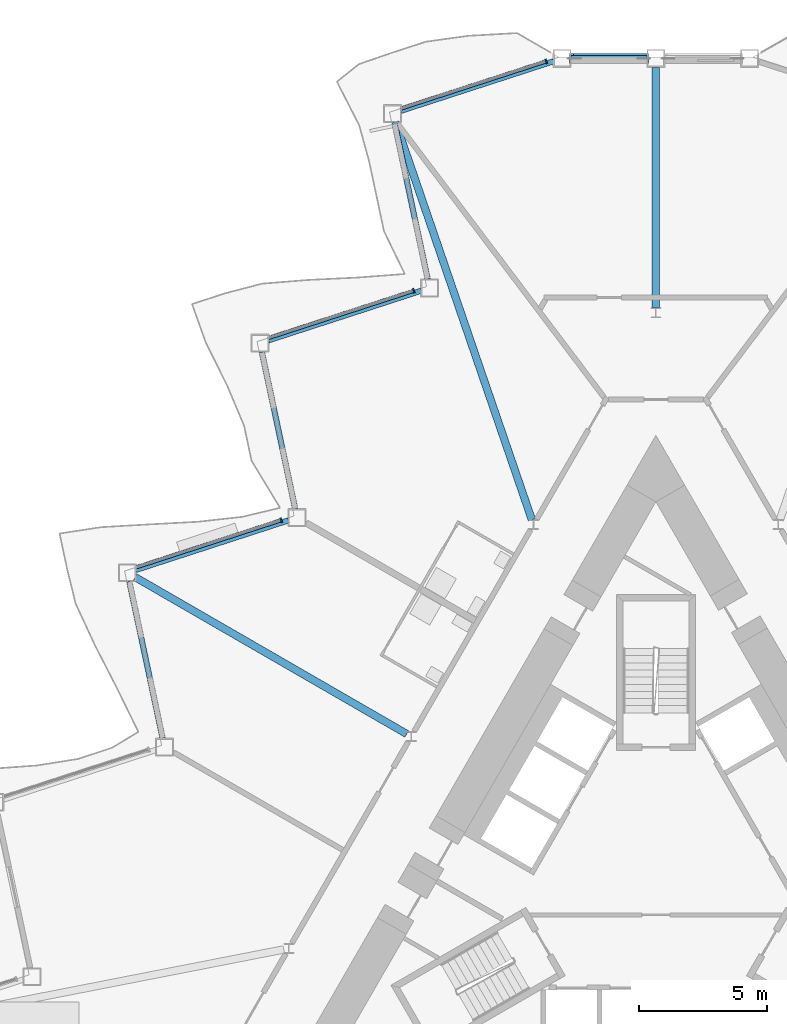
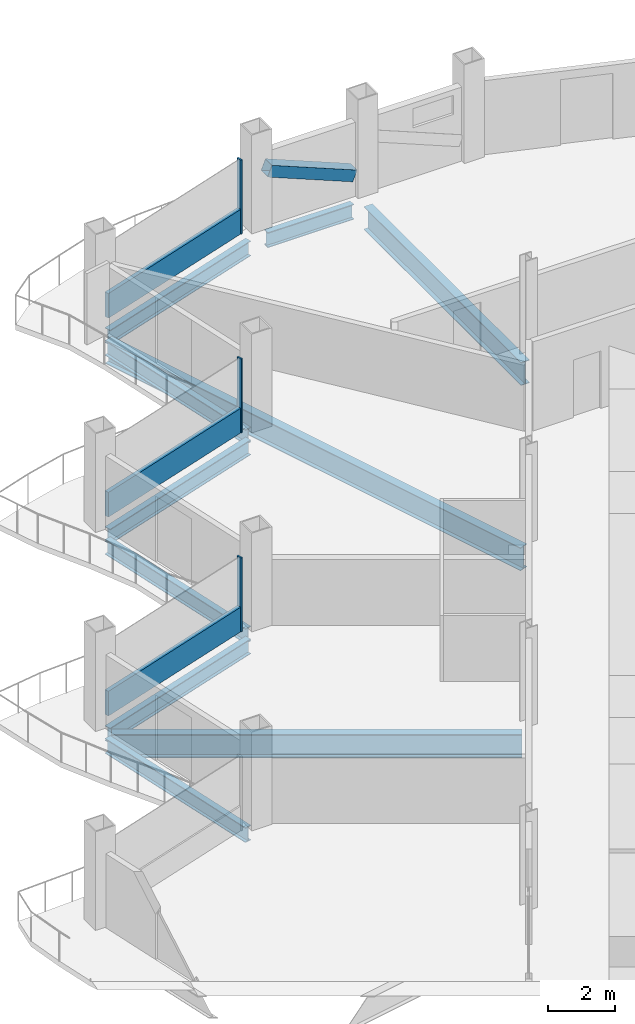
# One storey, part 8 of 24: 10 beams, 7 members, 3 elements without a shape of their own.
"""IFC4 building model written with IfcOpenShell, lengths in metres."""

from ifc_helpers import new_model, si_unit, direction, frame, origin, origin_2d, place, context, subcontext, project, spatial, rectangle, hollow_rectangle, i_section, extrude, material, layer, layer_set, material_profile, profile_set, type_object, element, aggregate, save


model = new_model("IFC4")

# Units and contexts
model_context = context("Model", 3, precision=1e-05, world=origin(), true_north=direction((0.0, 1.0)))
body_context = subcontext(model_context, "Body", "Model", "MODEL_VIEW")
ifc_project = project(units=[si_unit("LENGTHUNIT", "METRE"), si_unit("AREAUNIT", "SQUARE_METRE"), si_unit("VOLUMEUNIT", "CUBIC_METRE"), si_unit("PLANEANGLEUNIT", "RADIAN"), si_unit("MASSUNIT", "GRAM", prefix="KILO")], contexts=[model_context])

# Site, building, storey
site_placement = place(None, origin())
site = spatial("IfcSite", under=ifc_project, at=site_placement, CompositionType="ELEMENT")
building_placement = place(site_placement, origin())
building = spatial("IfcBuilding", under=site, at=building_placement, Name="Cormorant Prow Tower", CompositionType="ELEMENT")
storey_placement = place(building_placement, frame((0.0, 0.0, 270.60009765625)))
storey = spatial("IfcBuildingStorey", under=building, at=storey_placement, Name="L61", CompositionType="ELEMENT", Elevation=270.60009765625)

# Member
ifc_material_1 = material(Name="Structural steel ASTM A500 Gr C", Category="steel")
ifc_material_profile_1 = material_profile(ifc_material_1, hollow_rectangle(XDim=0.406494140625, YDim=0.406494140625, WallThickness=0.01171875, at=origin_2d()), Name="HSS16x16x1/2")
ifc_profile_set_1 = profile_set([ifc_material_profile_1], Name="Structural steel ASTM A500 Gr C")
member_type_1 = type_object("IfcMemberType", Name="Chamfer brace HSS16x16x1/2", PredefinedType="BRACE", material=ifc_profile_set_1)
member_1_placement = place(storey_placement, frame((-0.36572265625, 32.073486328125, 0.74951171875), z_axis=(-0.925591042089, 0.0, 0.37852506232), x_axis=(0.0, -1.0, 0.0)))
element("IfcMember", 1, at=member_1_placement, inside=storey, type_object=member_type_1, Name="Chamfer brace BR2 at N01 L61", PredefinedType="BRACE", context=body_context, shape_type="SweptSolid", body=[
    extrude(hollow_rectangle(XDim=0.406494140625, YDim=0.406494140625, WallThickness=0.01171875, at=origin_2d()), origin(), (0.0, 0.0, 1.0), 3.17529296875),
])

# Curtain wall, member
ifc_material_2 = material(Name="Aluminium 6063-T6", Category="aluminium")
ifc_layer = layer(ifc_material_2, 0.179931640625)
ifc_layer_set = layer_set([ifc_layer], Name="Aluminium 6063-T6")
curtain_wall_type = type_object("IfcCurtainWallType", Name="Hotel unitised curtain wall 180", PredefinedType="NOTDEFINED", material=ifc_layer_set)
curtain_wall_1_placement = place(storey_placement, origin())
curtain_wall_1 = element("IfcCurtainWall", 2, at=curtain_wall_1_placement, inside=storey, type_object=curtain_wall_type, Name="Hotel curtain wall WNW00", PredefinedType="NOTDEFINED")
ifc_material_3 = material(Name="Aluminium 6063-T6", Category="aluminium")
ifc_material_profile_2 = material_profile(ifc_material_3, rectangle(XDim=0.179931640625, YDim=0.06005859375, at=origin_2d()), Name="Hotel mullion 60x180")
ifc_profile_set_2 = profile_set([ifc_material_profile_2], Name="Aluminium 6063-T6")
member_type_2 = type_object("IfcMemberType", Name="Hotel mullion 60x180", PredefinedType="MULLION", material=ifc_profile_set_2)
member_2_placement = place(storey_placement, frame((-4.296630859375, 31.9619140625, 0.0), z_axis=(0.0, 0.0, 1.0), x_axis=(0.309016992698, -0.95105651684, 0.0)))
member_2 = element("IfcMember", 3, at=member_2_placement, type_object=member_type_2, Name="Hotel mullion WNW00", PredefinedType="MULLION", context=body_context, shape_type="SweptSolid", body=[
    extrude(rectangle(XDim=0.179931640625, YDim=0.06005859375, at=origin_2d()), origin(), (0.0, 0.0, 1.0), 2.70068359375),
])

curtain_wall_2_placement = place(storey_placement, origin())
curtain_wall_2 = element("IfcCurtainWall", 4, at=curtain_wall_2_placement, inside=storey, type_object=curtain_wall_type, Name="Hotel curtain wall WNW02", PredefinedType="NOTDEFINED")
member_3_placement = place(storey_placement, frame((-9.481689453125, 22.980712890625, 0.0), z_axis=(0.0, 0.0, 1.0), x_axis=(0.309016992698, -0.95105651684, 0.0)))
member_3 = element("IfcMember", 5, at=member_3_placement, type_object=member_type_2, Name="Hotel mullion WNW02", PredefinedType="MULLION", context=body_context, shape_type="SweptSolid", body=[
    extrude(rectangle(XDim=0.179931640625, YDim=0.06005859375, at=origin_2d()), origin(), (0.0, 0.0, 1.0), 2.70068359375),
])

curtain_wall_3_placement = place(storey_placement, origin())
curtain_wall_3 = element("IfcCurtainWall", 6, at=curtain_wall_3_placement, inside=storey, type_object=curtain_wall_type, Name="Hotel curtain wall WNW04", PredefinedType="NOTDEFINED")
member_4_placement = place(storey_placement, frame((-14.6669921875, 13.999755859375, 0.0), z_axis=(0.0, 0.0, 1.0), x_axis=(0.309016992698, -0.95105651684, 0.0)))
member_4 = element("IfcMember", 7, at=member_4_placement, type_object=member_type_2, Name="Hotel mullion WNW04", PredefinedType="MULLION", context=body_context, shape_type="SweptSolid", body=[
    extrude(rectangle(XDim=0.179931640625, YDim=0.06005859375, at=origin_2d()), origin(), (0.0, 0.0, 1.0), 2.70068359375),
])

# Member
ifc_material_4 = material(Name="Terracotta", Category="masonry")
ifc_material_profile_3 = material_profile(ifc_material_4, rectangle(XDim=0.139892578125, YDim=0.89990234375, at=origin_2d()), Name="Hotel terracotta spandrel rail 140x900")
ifc_profile_set_3 = profile_set([ifc_material_profile_3], Name="Terracotta")
member_type_3 = type_object("IfcMemberType", Name="Hotel terracotta spandrel rail 140x900", PredefinedType="USERDEFINED", material=ifc_profile_set_3)
member_5_placement = place(storey_placement, frame((-4.3251953125, 31.95263671875, 0.449951171875), z_axis=(-0.951045896886, -0.309049675645, 0.0), x_axis=(0.309049675645, -0.951045896886, 0.0)))
member_5 = element("IfcMember", 8, at=member_5_placement, type_object=member_type_3, Name="Hotel spandrel rail WNW00", ObjectType="TRANSOM", PredefinedType="USERDEFINED", context=body_context, shape_type="SweptSolid", body=[
    extrude(rectangle(XDim=0.139892578125, YDim=0.89990234375, at=origin_2d()), origin(), (0.0, 0.0, 1.0), 5.915283203125),
])

aggregate(curtain_wall_1, [member_2, member_5])

member_6_placement = place(storey_placement, frame((-9.51025390625, 22.971435546875, 0.449951171875), z_axis=(-0.951061968074, -0.309000215022, 0.0), x_axis=(0.309000215022, -0.951061968074, 0.0)))
member_6 = element("IfcMember", 9, at=member_6_placement, type_object=member_type_3, Name="Hotel spandrel rail WNW02", ObjectType="TRANSOM", PredefinedType="USERDEFINED", context=body_context, shape_type="SweptSolid", body=[
    extrude(rectangle(XDim=0.139892578125, YDim=0.89990234375, at=origin_2d()), origin(), (0.0, 0.0, 1.0), 5.91552734375),
])

aggregate(curtain_wall_2, [member_3, member_6])

member_7_placement = place(storey_placement, frame((-14.695556640625, 13.990478515625, 0.449951171875), z_axis=(-0.951045896886, -0.309049675645, 0.0), x_axis=(0.309049675645, -0.951045896886, 0.0)))
member_7 = element("IfcMember", 10, at=member_7_placement, type_object=member_type_3, Name="Hotel spandrel rail WNW04", ObjectType="TRANSOM", PredefinedType="USERDEFINED", context=body_context, shape_type="SweptSolid", body=[
    extrude(rectangle(XDim=0.139892578125, YDim=0.89990234375, at=origin_2d()), origin(), (0.0, 0.0, 1.0), 5.915283203125),
])

aggregate(curtain_wall_3, [member_4, member_7])

# Beams
ifc_material_5 = material(Name="Structural steel ASTM A992 Gr 50", Category="steel")
ifc_material_profile_4 = material_profile(ifc_material_5, i_section(OverallWidth=0.29296875, OverallDepth=0.845703125, WebThickness=0.015380859375, FlangeThickness=0.0244140625, at=origin_2d()), Name="W33x141")
ifc_profile_set_4 = profile_set([ifc_material_profile_4], Name="Structural steel ASTM A992 Gr 50")
beam_type_1 = type_object("IfcBeamType", Name="Radial floor beam W33x141", PredefinedType="BEAM", material=ifc_profile_set_4)
beam_1_placement = place(storey_placement, frame((0.0, 22.320068359375, -0.77294921875), z_axis=(0.0, 1.0, 0.0), x_axis=(-1.0, 0.0, 0.0)))
element("IfcBeam", 11, at=beam_1_placement, inside=storey, type_object=beam_type_1, Name="Radial floor beam FB2 1 L61", PredefinedType="BEAM", context=body_context, shape_type="SweptSolid", body=[
    extrude(i_section(OverallWidth=0.29296875, OverallDepth=0.845703125, WebThickness=0.015380859375, FlangeThickness=0.0244140625, at=origin_2d()), origin(), (0.0, 0.0, 1.0), 9.4033203125),
])
beam_2_placement = place(storey_placement, frame((-4.85400390625, 14.013916015625, -0.77294921875), z_axis=(-0.324535507117, 0.945873514071, 0.0), x_axis=(-0.945873514071, -0.324535507117, 0.0)))
element("IfcBeam", 12, at=beam_2_placement, inside=storey, type_object=beam_type_1, Name="Radial floor beam FB2 2 L61", PredefinedType="BEAM", context=body_context, shape_type="SweptSolid", body=[
    extrude(i_section(OverallWidth=0.29296875, OverallDepth=0.845703125, WebThickness=0.015380859375, FlangeThickness=0.0244140625, at=origin_2d()), origin(), (0.0, 0.0, 1.0), 16.462158203125),
])
beam_3_placement = place(storey_placement, frame((-9.751220703125, 5.6298828125, -0.77294921875), z_axis=(-0.866021995826, 0.500005902711, 0.0), x_axis=(-0.500005902711, -0.866021995826, 0.0)))
element("IfcBeam", 13, at=beam_3_placement, inside=storey, type_object=beam_type_1, Name="Radial floor beam FB2 3 L61", PredefinedType="BEAM", context=body_context, shape_type="SweptSolid", body=[
    extrude(i_section(OverallWidth=0.29296875, OverallDepth=0.845703125, WebThickness=0.015380859375, FlangeThickness=0.0244140625, at=origin_2d()), origin(), (0.0, 0.0, 1.0), 12.277099609375),
])
ifc_material_6 = material(Name="Structural steel ASTM A992 Gr 50", Category="steel")
ifc_material_profile_5 = material_profile(ifc_material_6, i_section(OverallWidth=0.2138671875, OverallDepth=0.549072265625, WebThickness=0.0146484375, FlangeThickness=0.023681640625, at=origin_2d()), Name="W21x93")
ifc_profile_set_5 = profile_set([ifc_material_profile_5], Name="Structural steel ASTM A992 Gr 50")
beam_type_2 = type_object("IfcBeamType", Name="Spandrel beam W21x93", PredefinedType="SPANDREL", material=ifc_profile_set_5)
beam_4_placement = place(storey_placement, frame((-0.35009765625, 32.073486328125, -0.624755859375), z_axis=(-1.0, 0.0, 0.0), x_axis=(0.0, -1.0, 0.0)))
element("IfcBeam", 14, at=beam_4_placement, inside=storey, type_object=beam_type_2, Name="Spandrel beam SB2 N01-WNW00 L61", PredefinedType="SPANDREL", context=body_context, shape_type="SweptSolid", body=[
    extrude(i_section(OverallWidth=0.2138671875, OverallDepth=0.549072265625, WebThickness=0.0146484375, FlangeThickness=0.023681640625, at=origin_2d()), origin(), (0.0, 0.0, 1.0), 2.97021484375),
])
for number, where, z_axis, x_axis, name in (
    (15, (-4.003173828125, 31.96533203125, -0.624755859375), (-0.951054060056, -0.309024553801, 0.0), (0.309024553801, -0.951054060056, 0.0), "Spandrel beam SB2 WNW00-WNW01 L61"),
    (16, (-10.2373046875, 29.57373046875, -0.624755859375), (0.207896407679, -0.97815084914, 0.0), (0.97815084914, 0.207896407679, 0.0), "Spandrel beam SB2 WNW01-WNW02 L61"),
):
    element("IfcBeam", number, at=place(storey_placement, frame(where, z_axis=z_axis, x_axis=x_axis)), inside=storey, type_object=beam_type_2, Name=name, PredefinedType="SPANDREL", context=body_context, shape_type="SweptSolid", body=[
        extrude(i_section(OverallWidth=0.2138671875, OverallDepth=0.549072265625, WebThickness=0.0146484375, FlangeThickness=0.023681640625, at=origin_2d()), origin(), (0.0, 0.0, 1.0), 6.281494140625),
    ])
beam_5_placement = place(storey_placement, frame((-9.191650390625, 22.97900390625, -0.624755859375), z_axis=(-0.951050348284, -0.309035976918, 0.0), x_axis=(0.309035976918, -0.951050348284, 0.0)))
element("IfcBeam", 17, at=beam_5_placement, inside=storey, type_object=beam_type_2, Name="Spandrel beam SB2 WNW02-WNW03 L61", PredefinedType="SPANDREL", context=body_context, shape_type="SweptSolid", body=[
    extrude(i_section(OverallWidth=0.2138671875, OverallDepth=0.549072265625, WebThickness=0.0146484375, FlangeThickness=0.023681640625, at=origin_2d()), origin(), (0.0, 0.0, 1.0), 6.28125),
])
beam_6_placement = place(storey_placement, frame((-15.42578125, 20.58740234375, -0.624755859375), z_axis=(0.207933593793, -0.978142944856, 0.0), x_axis=(0.978142944856, 0.207933593793, 0.0)))
element("IfcBeam", 18, at=beam_6_placement, inside=storey, type_object=beam_type_2, Name="Spandrel beam SB2 WNW03-WNW04 L61", PredefinedType="SPANDREL", context=body_context, shape_type="SweptSolid", body=[
    extrude(i_section(OverallWidth=0.2138671875, OverallDepth=0.549072265625, WebThickness=0.0146484375, FlangeThickness=0.023681640625, at=origin_2d()), origin(), (0.0, 0.0, 1.0), 6.281494140625),
])
beam_7_placement = place(storey_placement, frame((-14.3798828125, 13.99267578125, -0.624755859375), z_axis=(-0.951050348284, -0.309035976918, 0.0), x_axis=(0.309035976918, -0.951050348284, 0.0)))
element("IfcBeam", 19, at=beam_7_placement, inside=storey, type_object=beam_type_2, Name="Spandrel beam SB2 WNW04-WNW05 L61", PredefinedType="SPANDREL", context=body_context, shape_type="SweptSolid", body=[
    extrude(i_section(OverallWidth=0.2138671875, OverallDepth=0.549072265625, WebThickness=0.0146484375, FlangeThickness=0.023681640625, at=origin_2d()), origin(), (0.0, 0.0, 1.0), 6.28125),
])
beam_8_placement = place(storey_placement, frame((-20.614013671875, 11.60107421875, -0.624755859375), z_axis=(0.207933593793, -0.978142944856, 0.0), x_axis=(0.978142944856, 0.207933593793, 0.0)))
element("IfcBeam", 20, at=beam_8_placement, inside=storey, type_object=beam_type_2, Name="Spandrel beam SB2 WNW05-WNW06 L61", PredefinedType="SPANDREL", context=body_context, shape_type="SweptSolid", body=[
    extrude(i_section(OverallWidth=0.2138671875, OverallDepth=0.549072265625, WebThickness=0.0146484375, FlangeThickness=0.023681640625, at=origin_2d()), origin(), (0.0, 0.0, 1.0), 6.281494140625),
])

save(model, "model.ifc")
